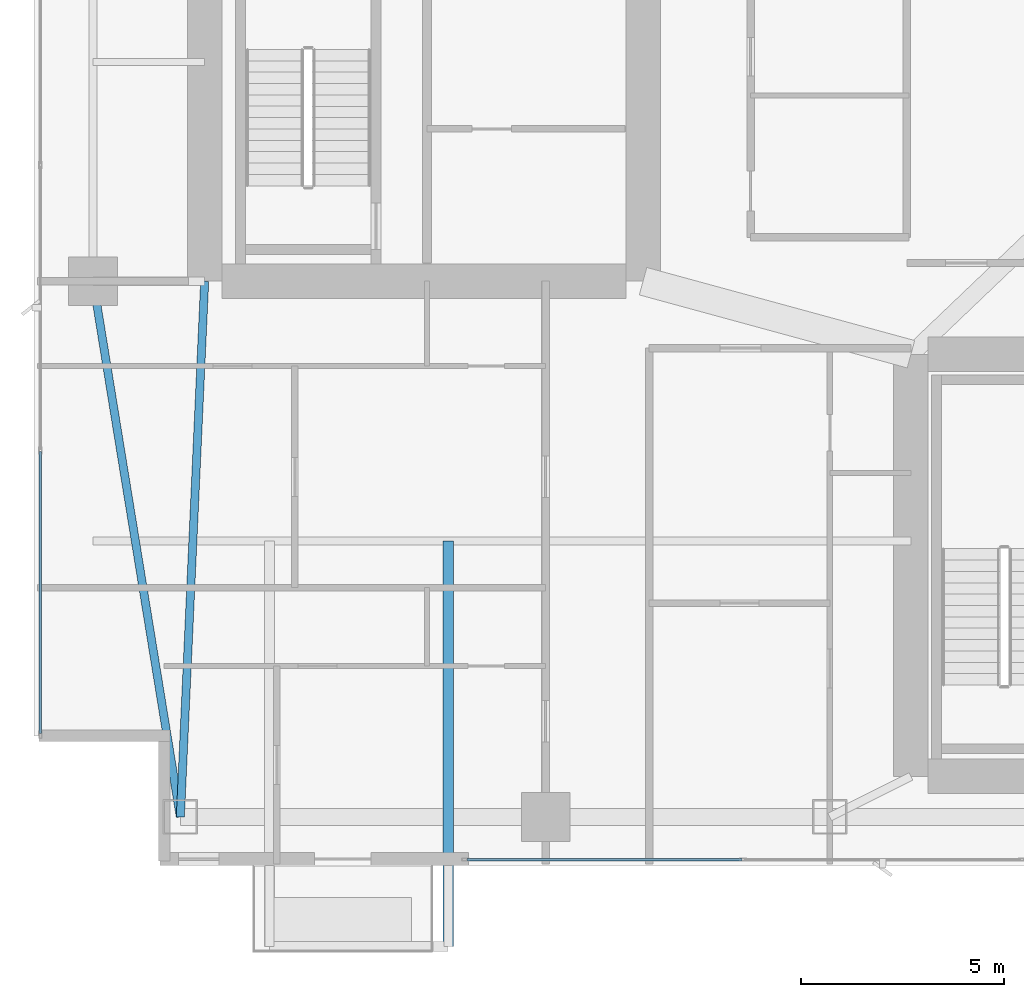
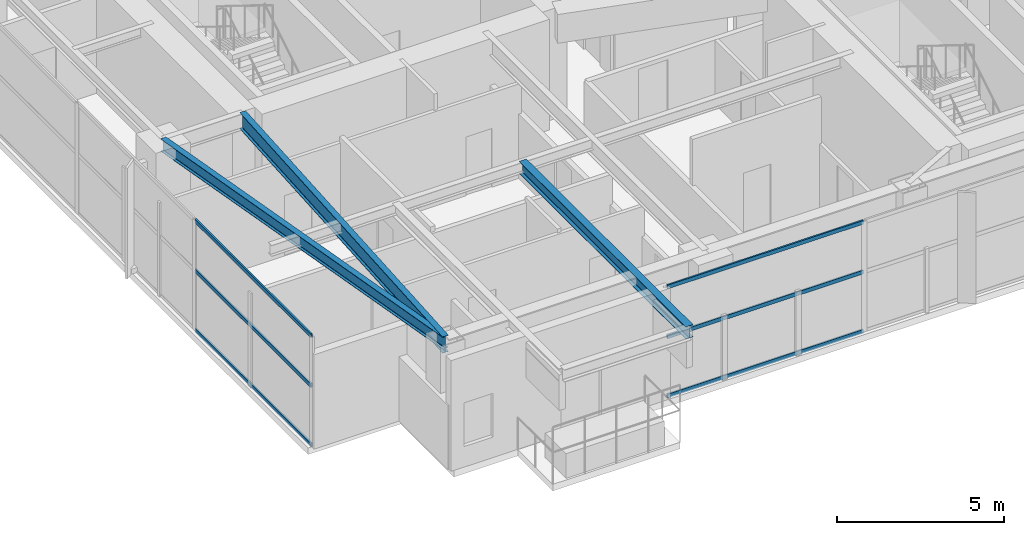
# One storey, part 3 of 30: 6 members, 3 beams, 2 elements without a shape of their own.
"""IFC4 building model written with IfcOpenShell, lengths in metres."""

from ifc_helpers import new_model, si_unit, direction, frame, origin, origin_2d, place, context, subcontext, project, spatial, hollow_rectangle, i_section, extrude, material, layer, layer_set, material_profile, profile_set, type_object, element, aggregate, save


model = new_model("IFC4")

# Units and contexts
model_context = context("Model", 3, precision=1e-05, world=origin(), true_north=direction((0.0, 1.0)))
body_context = subcontext(model_context, "Body", "Model", "MODEL_VIEW")
ifc_project = project(units=[si_unit("LENGTHUNIT", "METRE"), si_unit("AREAUNIT", "SQUARE_METRE"), si_unit("VOLUMEUNIT", "CUBIC_METRE"), si_unit("PLANEANGLEUNIT", "RADIAN"), si_unit("MASSUNIT", "GRAM", prefix="KILO")], contexts=[model_context])

# Site, building, storey
site_placement = place(None, origin())
site = spatial("IfcSite", under=ifc_project, at=site_placement, CompositionType="ELEMENT")
building_placement = place(site_placement, origin())
building = spatial("IfcBuilding", under=site, at=building_placement, Name="Calvorn Quay Hotel", CompositionType="ELEMENT")
storey_placement = place(building_placement, frame((0.0, 0.0, 195.10009765625)))
storey = spatial("IfcBuildingStorey", under=building, at=storey_placement, Name="L48", CompositionType="ELEMENT", Elevation=195.10009765625)

# Beams
ifc_material_1 = material(Name="Steel Q355B", Category="steel")
ifc_material_profile_1 = material_profile(ifc_material_1, i_section(OverallWidth=0.25, OverallDepth=0.449951171875, WebThickness=0.011962890625, FlangeThickness=0.01611328125, FilletRadius=0.01611328125, at=origin_2d()), Name="HN450x250x12x16")
ifc_profile_set_1 = profile_set([ifc_material_profile_1], Name="Steel Q355B")
beam_type_1 = type_object("IfcBeamType", Name="BM-CANT-BALC", PredefinedType="BEAM", material=ifc_profile_set_1)
beam_1_placement = place(storey_placement, frame((10.199951171875, 10.39990234375, 3.824951171875), z_axis=(0.0, -1.0, 0.0), x_axis=(1.0, 0.0, 0.0)))
element("IfcBeam", 1, at=beam_1_placement, inside=storey, type_object=beam_type_1, Name="Cantilever Balcony Beam BCB-L49-1B", PredefinedType="BEAM", context=body_context, shape_type="SweptSolid", body=[
    extrude(i_section(OverallWidth=0.25, OverallDepth=0.449951171875, WebThickness=0.011962890625, FlangeThickness=0.01611328125, FilletRadius=0.01611328125, at=origin_2d()), origin(), (0.0, 0.0, 1.0), 9.989990234375),
])
ifc_material_2 = material(Name="Steel Q355B", Category="steel")
ifc_material_profile_2 = material_profile(ifc_material_2, i_section(OverallWidth=0.199951171875, OverallDepth=0.60009765625, WebThickness=0.010986328125, FlangeThickness=0.01708984375, FilletRadius=0.01806640625, at=origin_2d()), Name="HN600x200x11x17")
ifc_profile_set_2 = profile_set([ifc_material_profile_2], Name="Steel Q355B")
beam_type_2 = type_object("IfcBeamType", Name="BM-GIRD-TYP", PredefinedType="BEAM", material=ifc_profile_set_2)
beam_2_placement = place(storey_placement, frame((3.60009765625, 3.60009765625, 3.75), z_axis=(0.045396765494, 0.998969035397, 0.0), x_axis=(-0.998969035397, 0.045396765494, 0.0)))
element("IfcBeam", 2, at=beam_2_placement, inside=storey, type_object=beam_type_2, Name="Beam BG-L48-W0", PredefinedType="BEAM", context=body_context, shape_type="SweptSolid", body=[
    extrude(i_section(OverallWidth=0.199951171875, OverallDepth=0.60009765625, WebThickness=0.010986328125, FlangeThickness=0.01708984375, FilletRadius=0.01806640625, at=origin_2d()), origin(), (0.0, 0.0, 1.0), 13.213623046875),
])
ifc_material_3 = material(Name="Steel Q355B", Category="steel")
ifc_material_profile_3 = material_profile(ifc_material_3, i_section(OverallWidth=0.199951171875, OverallDepth=0.449951171875, WebThickness=0.009033203125, FlangeThickness=0.013916015625, FilletRadius=0.01611328125, at=origin_2d()), Name="HN450x200x9x14")
ifc_profile_set_3 = profile_set([ifc_material_profile_3], Name="Steel Q355B")
beam_type_3 = type_object("IfcBeamType", Name="BM-SPANDREL-Z3", PredefinedType="SPANDREL", material=ifc_profile_set_3)
beam_3_placement = place(storey_placement, frame((3.60009765625, 3.60009765625, 3.824951171875), z_axis=(-0.16077155054, 0.986991645627, 0.0), x_axis=(-0.986991645627, -0.16077155054, 0.0)))
element("IfcBeam", 3, at=beam_3_placement, inside=storey, type_object=beam_type_3, Name="Beam BSP-L48-W1", PredefinedType="SPANDREL", context=body_context, shape_type="SweptSolid", body=[
    extrude(i_section(OverallWidth=0.199951171875, OverallDepth=0.449951171875, WebThickness=0.009033203125, FlangeThickness=0.013916015625, FilletRadius=0.01611328125, at=origin_2d()), origin(), (0.0, 0.0, 1.0), 13.3740234375),
])

# Curtain wall, members
ifc_material_4 = material(Name="Champagne Bronze Anodised Aluminium and Low-E Glass", Category="aluminium")
ifc_layer = layer(ifc_material_4, 0.219970703125)
ifc_layer_set = layer_set([ifc_layer], Name="CW-SYS-Z3")
curtain_wall_type = type_object("IfcCurtainWallType", Name="CW-SYS-Z3", PredefinedType="NOTDEFINED", material=ifc_layer_set)
curtain_wall_1_placement = place(storey_placement, origin())
curtain_wall_1 = element("IfcCurtainWall", 4, at=curtain_wall_1_placement, inside=storey, type_object=curtain_wall_type, Name="Tower West Curtain Wall (L48)", PredefinedType="NOTDEFINED")
ifc_material_5 = material(Name="Champagne Bronze Anodised Aluminium 6063-T6", Category="aluminium")
ifc_material_profile_4 = material_profile(ifc_material_5, hollow_rectangle(XDim=0.05810546875, YDim=0.139892578125, WallThickness=0.003173828125, at=origin_2d()), Name="ALU-T140x58x3.2")
ifc_profile_set_4 = profile_set([ifc_material_profile_4], Name="Champagne Bronze Anodised Aluminium 6063-T6")
member_type = type_object("IfcMemberType", Name="CW-SYS-Z3-TRN", PredefinedType="USERDEFINED", material=ifc_profile_set_4)
member_1_placement = place(storey_placement, frame((0.14990234375, 5.659912109375, 0.02978515625), z_axis=(0.0, 1.0, 0.0), x_axis=(-1.0, 0.0, 0.0)))
member_1 = element("IfcMember", 5, at=member_1_placement, type_object=member_type, Name="CW-L48-W transom 1.1", ObjectType="TRANSOM", PredefinedType="USERDEFINED", context=body_context, shape_type="SweptSolid", body=[
    extrude(hollow_rectangle(XDim=0.05810546875, YDim=0.139892578125, WallThickness=0.003173828125, at=origin_2d()), origin(), (0.0, 0.0, 1.0), 6.943359375),
])
member_2_placement = place(storey_placement, frame((0.14990234375, 5.659912109375, 2.199951171875), z_axis=(0.0, 1.0, 0.0), x_axis=(-1.0, 0.0, 0.0)))
member_2 = element("IfcMember", 6, at=member_2_placement, type_object=member_type, Name="CW-L48-W transom 1.2", ObjectType="TRANSOM", PredefinedType="USERDEFINED", context=body_context, shape_type="SweptSolid", body=[
    extrude(hollow_rectangle(XDim=0.05810546875, YDim=0.139892578125, WallThickness=0.003173828125, at=origin_2d()), origin(), (0.0, 0.0, 1.0), 6.943359375),
])
member_3_placement = place(storey_placement, frame((0.14990234375, 5.659912109375, 4.02001953125), z_axis=(0.0, 1.0, 0.0), x_axis=(-1.0, 0.0, 0.0)))
member_3 = element("IfcMember", 7, at=member_3_placement, type_object=member_type, Name="CW-L48-W transom 1.3", ObjectType="TRANSOM", PredefinedType="USERDEFINED", context=body_context, shape_type="SweptSolid", body=[
    extrude(hollow_rectangle(XDim=0.05810546875, YDim=0.139892578125, WallThickness=0.003173828125, at=origin_2d()), origin(), (0.0, 0.0, 1.0), 6.943359375),
])
aggregate(curtain_wall_1, [member_1, member_2, member_3])

curtain_wall_2_placement = place(storey_placement, origin())
curtain_wall_2 = element("IfcCurtainWall", 8, at=curtain_wall_2_placement, inside=storey, type_object=curtain_wall_type, Name="Tower South Waterfront Curtain Wall (L48)", PredefinedType="NOTDEFINED")
member_4_placement = place(storey_placement, frame((10.659912109375, 2.550048828125, 0.02978515625), z_axis=(1.0, 0.0, 0.0), x_axis=(0.0, 1.0, 0.0)))
member_4 = element("IfcMember", 9, at=member_4_placement, type_object=member_type, Name="CW-L48-S transom 1.1", ObjectType="TRANSOM", PredefinedType="USERDEFINED", context=body_context, shape_type="SweptSolid", body=[
    extrude(hollow_rectangle(XDim=0.05810546875, YDim=0.139892578125, WallThickness=0.003173828125, at=origin_2d()), origin(), (0.0, 0.0, 1.0), 6.77685546875),
])
member_5_placement = place(storey_placement, frame((10.659912109375, 2.550048828125, 2.199951171875), z_axis=(1.0, 0.0, 0.0), x_axis=(0.0, 1.0, 0.0)))
member_5 = element("IfcMember", 10, at=member_5_placement, type_object=member_type, Name="CW-L48-S transom 1.2", ObjectType="TRANSOM", PredefinedType="USERDEFINED", context=body_context, shape_type="SweptSolid", body=[
    extrude(hollow_rectangle(XDim=0.05810546875, YDim=0.139892578125, WallThickness=0.003173828125, at=origin_2d()), origin(), (0.0, 0.0, 1.0), 6.77685546875),
])
member_6_placement = place(storey_placement, frame((10.659912109375, 2.550048828125, 4.02001953125), z_axis=(1.0, 0.0, 0.0), x_axis=(0.0, 1.0, 0.0)))
member_6 = element("IfcMember", 11, at=member_6_placement, type_object=member_type, Name="CW-L48-S transom 1.3", ObjectType="TRANSOM", PredefinedType="USERDEFINED", context=body_context, shape_type="SweptSolid", body=[
    extrude(hollow_rectangle(XDim=0.05810546875, YDim=0.139892578125, WallThickness=0.003173828125, at=origin_2d()), origin(), (0.0, 0.0, 1.0), 6.77685546875),
])
aggregate(curtain_wall_2, [member_4, member_5, member_6])

save(model, "model.ifc")
